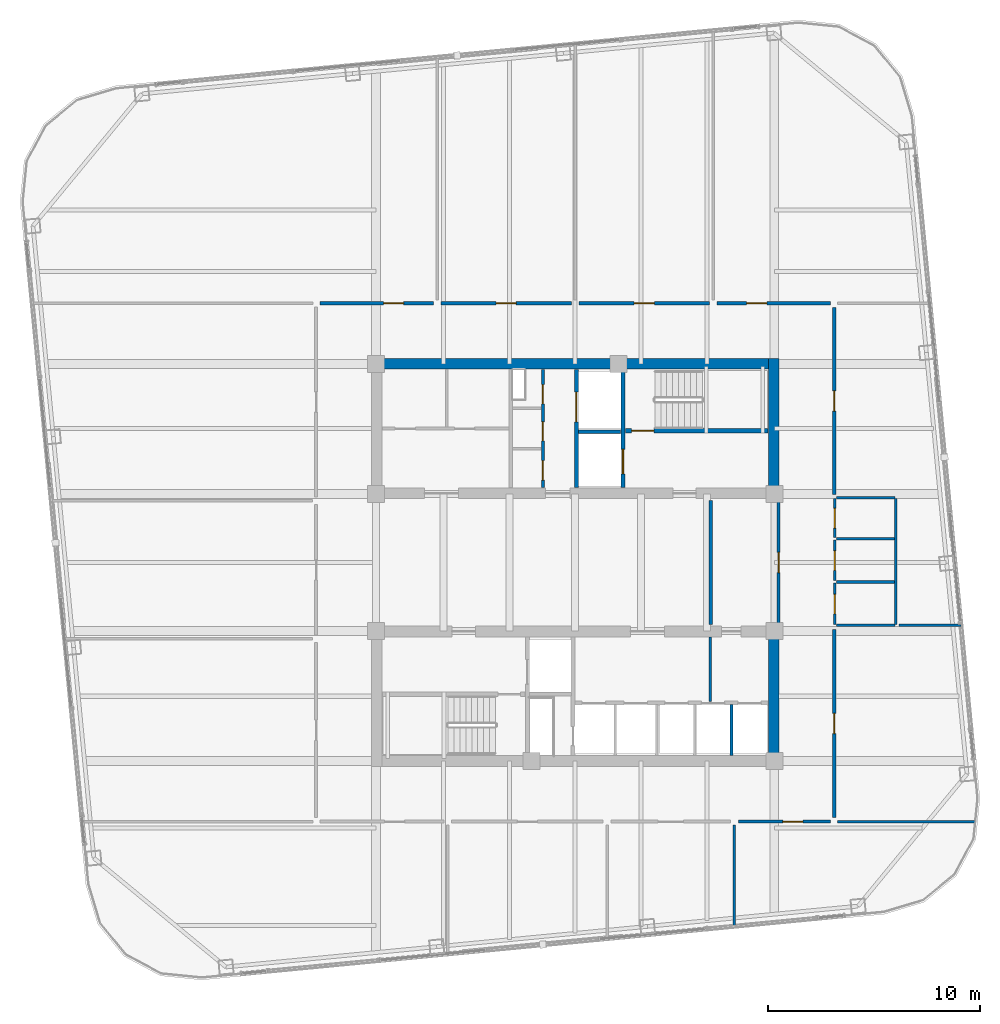
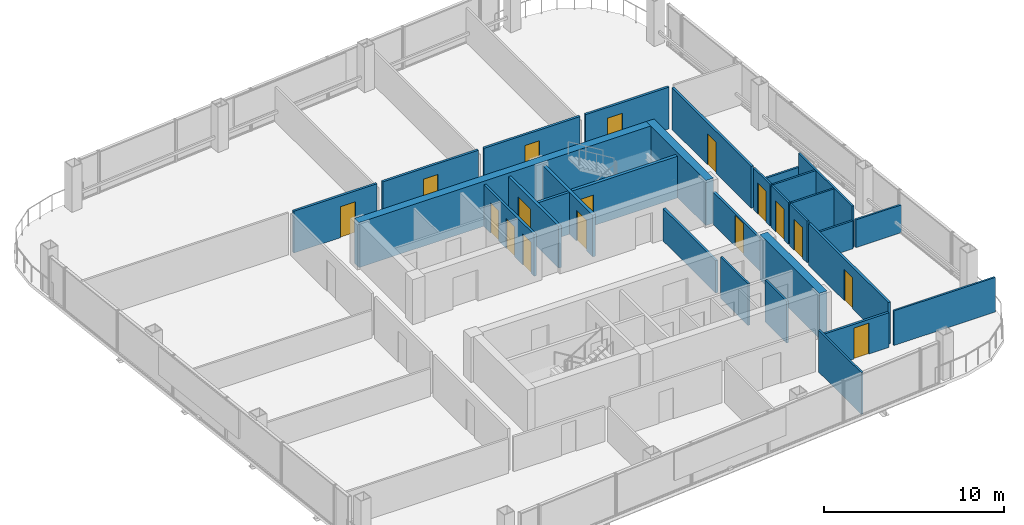
# One storey, part 25 of 29: 30 walls, 17 doors, 17 openings.
"""IFC4 building model written with IfcOpenShell, lengths in metres."""

import ifcopenshell
import ifcopenshell.guid

model = None  # the IFC model being written
_history = None  # IfcOwnerHistory: only IFC2X3 demands one
_inside = {}  # id of a spatial element -> (the spatial element, [elements in it])
_under = {}  # id of a project, library or spatial element -> (it, [spatial elements below it])
_declared = {}  # id of a project -> (the project, [libraries it declares])
_typed = {}  # id of a type object -> (the type object, [elements of that type])
_made_of = {}  # id of a material, layer set ... -> (it, [elements and type objects made of it])


def new_model(schema):
    """Start an empty IFC model of exactly this schema.

    Asked for "IFC4X3", IfcOpenShell would pick the latest addendum, in which some entities
    have other attributes; the version numbers below select the first issue.
    IFC2X3 requires an IfcOwnerHistory on every rooted entity: one is made here for all.
    """
    global model, _history
    if schema == "IFC4X3":
        model = ifcopenshell.file(schema_version=(4, 3, 0, 0))
    else:
        model = ifcopenshell.file(schema=schema)
    _inside.clear()
    _under.clear()
    _declared.clear()
    _typed.clear()
    _made_of.clear()
    _history = None
    if model.schema == "IFC2X3":
        org = make("IfcOrganization", Name="unknown")
        user = make(
            "IfcPersonAndOrganization",
            ThePerson=make("IfcPerson", FamilyName="unknown"),
            TheOrganization=org,
        )
        app = make(
            "IfcApplication",
            ApplicationDeveloper=org,
            Version="unknown",
            ApplicationFullName="unknown",
            ApplicationIdentifier="unknown",
        )
        _history = make(
            "IfcOwnerHistory",
            OwningUser=user,
            OwningApplication=app,
            ChangeAction="ADDED",
            CreationDate=0,
        )
    return model


def make(cls, **values):
    """One entity of the class cls with the attributes given. An attribute that is None is left unset."""
    return model.create_entity(
        cls, **{name: value for name, value in values.items() if value is not None}
    )


def rooted(cls, **values):
    """An entity with a GlobalId (a new one), such as an element, a storey or a relation."""
    return make(cls, GlobalId=ifcopenshell.guid.new(), OwnerHistory=_history, **values)


def si_unit(unit_type, name, prefix=None):
    """IfcSIUnit, for example si_unit("LENGTHUNIT", "METRE", prefix="MILLI")."""
    return make("IfcSIUnit", UnitType=unit_type, Prefix=prefix, Name=name)


def assignment(units):
    """IfcUnitAssignment: the units of a project."""
    return None if units is None else make("IfcUnitAssignment", Units=units)


def point(xyz):
    """IfcCartesianPoint."""
    return None if xyz is None else make("IfcCartesianPoint", Coordinates=xyz)


def direction(xyz):
    """IfcDirection."""
    return None if xyz is None else make("IfcDirection", DirectionRatios=xyz)


def frame(location, z_axis=None, x_axis=None):
    """IfcAxis2Placement3D, a coordinate frame: its origin and axes. An axis left out is left unset."""
    return make(
        "IfcAxis2Placement3D",
        Location=point(location),
        Axis=direction(z_axis),
        RefDirection=direction(x_axis),
    )


def frame_2d(location, x_axis=None):
    """IfcAxis2Placement2D, a coordinate frame in the plane: its origin and x axis."""
    return make(
        "IfcAxis2Placement2D", Location=point(location), RefDirection=direction(x_axis)
    )


def origin():
    """The frame at (0, 0, 0) with its axes left unset."""
    return frame((0.0, 0.0, 0.0))


def place(relative_to, where):
    """IfcLocalPlacement: puts the frame where relative to a parent placement (None: the world)."""
    return make(
        "IfcLocalPlacement", PlacementRelTo=relative_to, RelativePlacement=where
    )


def context(
    kind, dimensions, precision=None, world=None, true_north=None, identifier=None
):
    """IfcGeometricRepresentationContext, for example the 3D "Model" context."""
    return make(
        "IfcGeometricRepresentationContext",
        ContextIdentifier=identifier,
        ContextType=kind,
        CoordinateSpaceDimension=dimensions,
        Precision=precision,
        WorldCoordinateSystem=world,
        TrueNorth=true_north,
    )


def subcontext(parent, identifier, kind, view, scale=None):
    """IfcGeometricRepresentationSubContext, for example "Body" below "Model"."""
    return make(
        "IfcGeometricRepresentationSubContext",
        ContextIdentifier=identifier,
        ContextType=kind,
        ParentContext=parent,
        TargetScale=scale,
        TargetView=view,
    )


def project(units=None, contexts=None):
    """IfcProject with its units and contexts."""
    return rooted(
        "IfcProject",
        Name="project",
        RepresentationContexts=contexts,
        UnitsInContext=assignment(units),
    )


def spatial(cls, under=None, at=None, **own):
    """A site, building, storey or space (cls), placed at a placement, below another one or the project."""
    s = rooted(cls, ObjectPlacement=at, **own)
    if under is not None:
        _under.setdefault(under.id(), (under, []))[1].append(s)
    return s


def profile(cls, at=None, kind="AREA", **sizes):
    """A parametric profile (cls). Its sizes go by their IFC names, for example OverallWidth=200.0."""
    return make(cls, ProfileType=kind, Position=at, **sizes)


def rectangle(**sizes):
    """IfcRectangleProfileDef."""
    return profile("IfcRectangleProfileDef", **sizes)


def extrude(swept, where, along, depth):
    """IfcExtrudedAreaSolid: the profile swept, set in the frame where, extruded along a direction by depth."""
    return make(
        "IfcExtrudedAreaSolid",
        SweptArea=swept,
        Position=where,
        ExtrudedDirection=direction(along),
        Depth=depth,
    )


def shape(context_of_items, identifier, shape_type, items):
    """IfcShapeRepresentation: the items that make up one representation, for example the "Body"."""
    return make(
        "IfcShapeRepresentation",
        ContextOfItems=context_of_items,
        RepresentationIdentifier=identifier,
        RepresentationType=shape_type,
        Items=items,
    )


def material(Name=None, Category=None):
    """IfcMaterial."""
    return make("IfcMaterial", Name=Name, Category=Category)


def layer(
    of_material, thickness, ventilated=None, Name=None, Category=None, Priority=None
):
    """IfcMaterialLayer: one layer of a wall or slab, of a material (None: an air gap)."""
    return make(
        "IfcMaterialLayer",
        Material=of_material,
        LayerThickness=thickness,
        IsVentilated=ventilated,
        Name=Name,
        Category=Category,
        Priority=Priority,
    )


def layer_set(layers, Name=None):
    """IfcMaterialLayerSet."""
    return make("IfcMaterialLayerSet", MaterialLayers=layers, LayerSetName=Name)


def made_of(thing, what):
    """Note that an element or type object is made of a material, layer set ...; save() writes the relation."""
    if what is not None:
        _made_of.setdefault(what.id(), (what, []))[1].append(thing)
    return thing


def type_object(cls, material=None, **own):
    """A type object (cls), such as IfcWallType, which elements share."""
    return made_of(rooted(cls, **own), material)


def element(
    cls,
    number,
    at=None,
    inside=None,
    cuts=None,
    type_object=None,
    material=None,
    context=None,
    identifier="Body",
    shape_type=None,
    held_by="IfcProductDefinitionShape",
    body=None,
    shapes=None,
    **own,
):
    """One element of the class cls, such as IfcWall. Its Tag is "e" and its number.

    at: its placement. inside: the storey or other place that contains it. cuts: it is an
    opening in that element (IfcRelVoidsElement). A single representation is given by context,
    identifier, shape_type and body (its items); several are given by shapes. held_by: the class
    of the entity that holds the representations. save() writes the other relations.
    """
    e = rooted(cls, Tag="e%d" % number, ObjectPlacement=at, **own)
    if body is not None:
        shapes = [shape(context, identifier, shape_type, body)]
    if shapes is not None:
        e.Representation = make(held_by, Representations=shapes)
    if inside is not None:
        _inside.setdefault(inside.id(), (inside, []))[1].append(e)
    if cuts is not None:
        rooted(
            "IfcRelVoidsElement", RelatingBuildingElement=cuts, RelatedOpeningElement=e
        )
    if type_object is not None:
        _typed.setdefault(type_object.id(), (type_object, []))[1].append(e)
    return made_of(e, material)


def fill(opening, filler):
    """IfcRelFillsElement: the door or window that sits in an opening."""
    return rooted(
        "IfcRelFillsElement",
        RelatingOpeningElement=opening,
        RelatedBuildingElement=filler,
    )


def aggregate(whole, parts):
    """IfcRelAggregates: a whole, such as a stair, and the parts it consists of."""
    return rooted("IfcRelAggregates", RelatingObject=whole, RelatedObjects=parts)


def save(model, path):
    """Write the relations noted so far, then the file.

    IfcRelAggregates (storeys below a building ...), IfcRelContainedInSpatialStructure (elements
    in a storey), IfcRelDefinesByType, IfcRelAssociatesMaterial and IfcRelDeclares: one each for
    every whole, place, type object, material and project.
    """
    for whole, parts in _under.values():
        aggregate(whole, parts)
    for where, things in _inside.values():
        rooted(
            "IfcRelContainedInSpatialStructure",
            RelatedElements=things,
            RelatingStructure=where,
        )
    for kind, things in _typed.values():
        rooted("IfcRelDefinesByType", RelatedObjects=things, RelatingType=kind)
    for what, things in _made_of.values():
        rooted("IfcRelAssociatesMaterial", RelatedObjects=things, RelatingMaterial=what)
    for by, libraries in _declared.values():
        rooted("IfcRelDeclares", RelatingContext=by, RelatedDefinitions=libraries)
    model.write(path)


model = new_model("IFC4")

# Units and contexts
model_context = context("Model", 3, precision=1e-05, world=origin(), true_north=direction((0.0, 1.0)))
body_context = subcontext(model_context, "Body", "Model", "MODEL_VIEW")
ifc_project = project(units=[si_unit("LENGTHUNIT", "METRE"), si_unit("AREAUNIT", "SQUARE_METRE"), si_unit("VOLUMEUNIT", "CUBIC_METRE"), si_unit("PLANEANGLEUNIT", "RADIAN"), si_unit("MASSUNIT", "GRAM", prefix="KILO")], contexts=[model_context])

# Site, building, storey
site_placement = place(None, origin())
site = spatial("IfcSite", under=ifc_project, at=site_placement, CompositionType="ELEMENT")
building_placement = place(site_placement, origin())
building = spatial("IfcBuilding", under=site, at=building_placement, Name="Qhalaya Broadcast Tower", CompositionType="ELEMENT")
storey_placement = place(building_placement, frame((0.0, 0.0, 177.5)))
storey = spatial("IfcBuildingStorey", under=building, at=storey_placement, Name="L52", CompositionType="ELEMENT", Elevation=177.5)

# Wall, openings, doors
ifc_material_1 = material(Name="Gypsum Acoustic Partition")
ifc_layer_1 = layer(ifc_material_1, 0.14990234375, Name="Gypsum Acoustic Partition")
ifc_layer_set_1 = layer_set([ifc_layer_1], Name="Gypsum Acoustic Partition")
wall_type_1 = type_object("IfcWallType", Name="Corridor & Tenancy Acoustic Partition 150", PredefinedType="PARTITIONING", material=ifc_layer_set_1)
wall_1_placement = place(storey_placement, frame((-1.52001953125, 4.1201171875, 0.0), z_axis=(0.0, 0.0, 1.0), x_axis=(0.0, 1.0, 0.0)))
wall_1 = element("IfcWall", 1, at=wall_1_placement, inside=storey, type_object=wall_type_1, Name="L52 Partition Wall NCW-SVL", PredefinedType="PARTITIONING", context=body_context, shape_type="SweptSolid", body=[
    extrude(rectangle(XDim=5.559814453125, YDim=0.14990234375, at=frame_2d((2.77978515625, 0.0))), origin(), (0.0, 0.0, 1.0), 2.830078125),
])
opening_1_placement = place(wall_1_placement, frame((3.949951171875, 0.0, 0.0)))
opening_1 = element("IfcOpeningElement", 2, at=opening_1_placement, cuts=wall_1, Name="Opening D06", PredefinedType="OPENING", context=body_context, shape_type="SweptSolid", body=[
    extrude(rectangle(XDim=0.89990234375, YDim=2.050048828125, at=frame_2d((0.449951171875, 1.02490234375))), frame((0.0, 0.0869140625, 0.0), z_axis=(0.0, -1.0, 0.0), x_axis=(1.0, 0.0, 0.0)), (0.0, 0.0, 1.0), 0.173828125),
])
opening_2_placement = place(wall_1_placement, frame((2.199951171875, 0.0, 0.0)))
opening_2 = element("IfcOpeningElement", 3, at=opening_2_placement, cuts=wall_1, Name="Opening D06", PredefinedType="OPENING", context=body_context, shape_type="SweptSolid", body=[
    extrude(rectangle(XDim=0.89990234375, YDim=2.050048828125, at=frame_2d((0.449951171875, 1.02490234375))), frame((0.0, 0.0869140625, 0.0), z_axis=(0.0, -1.0, 0.0), x_axis=(1.0, 0.0, 0.0)), (0.0, 0.0, 1.0), 0.173828125),
])
opening_3_placement = place(wall_1_placement, frame((0.35009765625, 0.0, 0.0)))
opening_3 = element("IfcOpeningElement", 4, at=opening_3_placement, cuts=wall_1, Name="Opening D12", PredefinedType="OPENING", context=body_context, shape_type="SweptSolid", body=[
    extrude(rectangle(XDim=0.919921875, YDim=2.10009765625, at=frame_2d((0.4599609375, 1.050048828125))), frame((0.0, 0.0869140625, 0.0), z_axis=(0.0, -1.0, 0.0), x_axis=(1.0, 0.0, 0.0)), (0.0, 0.0, 1.0), 0.173828125),
])
ifc_material_2 = material(Name="Timber Veneer Acoustic Door", Category="wood")
door_type_1 = type_object("IfcDoorType", Name="Accessible WC & Restroom Door D12", OperationType="NOTDEFINED", PredefinedType="DOOR", material=ifc_material_2)
door_1_placement = place(opening_3_placement, origin())
door_1 = element("IfcDoor", 5, at=door_1_placement, inside=storey, type_object=door_type_1, Name="L52 Door D-NCWC", OperationType="SINGLE_SWING_RIGHT", OverallHeight=2.10009765625, OverallWidth=0.919921875, PredefinedType="DOOR", context=body_context, shape_type="SweptSolid", body=[
    extrude(rectangle(XDim=0.919921875, YDim=2.10009765625, at=frame_2d((0.4599609375, 1.050048828125))), frame((0.0, 0.02490234375, 0.0), z_axis=(0.0, -1.0, 0.0), x_axis=(1.0, 0.0, 0.0)), (0.0, 0.0, 1.0), 0.050048828125),
])
fill(opening_3, door_1)
ifc_material_3 = material(Name="Fire-Rated Steel Door", Category="steel")
door_type_2 = type_object("IfcDoorType", Name="Riser & Electrical Shaft Access Door D06", OperationType="NOTDEFINED", PredefinedType="DOOR", material=ifc_material_3)
door_2_placement = place(opening_1_placement, origin())
door_2 = element("IfcDoor", 6, at=door_2_placement, inside=storey, type_object=door_type_2, Name="L52 Riser Shaft Access Door D-NRSR", OperationType="SINGLE_SWING_RIGHT", OverallHeight=2.050048828125, OverallWidth=0.89990234375, PredefinedType="DOOR", context=body_context, shape_type="SweptSolid", body=[
    extrude(rectangle(XDim=0.89990234375, YDim=2.050048828125, at=frame_2d((0.449951171875, 1.02490234375))), frame((0.0, 0.02490234375, 0.0), z_axis=(0.0, -1.0, 0.0), x_axis=(1.0, 0.0, 0.0)), (0.0, 0.0, 1.0), 0.050048828125),
])
fill(opening_1, door_2)
door_3_placement = place(opening_2_placement, origin())
door_3 = element("IfcDoor", 7, at=door_3_placement, inside=storey, type_object=door_type_2, Name="L52 Door D-NITR", OperationType="SINGLE_SWING_LEFT", OverallHeight=2.050048828125, OverallWidth=0.89990234375, PredefinedType="DOOR", context=body_context, shape_type="SweptSolid", body=[
    extrude(rectangle(XDim=0.89990234375, YDim=2.050048828125, at=frame_2d((0.449951171875, 1.02490234375))), frame((0.0, 0.02490234375, 0.0), z_axis=(0.0, -1.0, 0.0), x_axis=(1.0, 0.0, 0.0)), (0.0, 0.0, 1.0), 0.050048828125),
])
fill(opening_2, door_3)

# Wall
wall_2_placement = place(storey_placement, frame((6.3798828125, -2.320068359375, 0.0), z_axis=(0.0, 0.0, 1.0), x_axis=(0.0, 1.0, 0.0)))
element("IfcWall", 8, at=wall_2_placement, inside=storey, type_object=wall_type_1, Name="L52 Partition Wall W-ICHW", PredefinedType="PARTITIONING", context=body_context, shape_type="SweptSolid", body=[
    extrude(rectangle(XDim=5.840087890625, YDim=0.14990234375, at=frame_2d((2.919921875, 0.0))), origin(), (0.0, 0.0, 1.0), 2.197998046875),
])

# Wall, opening, door
wall_3_placement = place(storey_placement, frame((9.580078125, -2.320068359375, 0.0), z_axis=(0.0, 0.0, 1.0), x_axis=(0.0, 1.0, 0.0)))
wall_3 = element("IfcWall", 9, at=wall_3_placement, inside=storey, type_object=wall_type_1, Name="L52 Partition Wall W-ICHE", PredefinedType="PARTITIONING", context=body_context, shape_type="SweptSolid", body=[
    extrude(rectangle(XDim=5.840087890625, YDim=0.14990234375, at=frame_2d((2.919921875, 0.0))), origin(), (0.0, 0.0, 1.0), 2.197998046875),
])
opening_4_placement = place(wall_3_placement, frame((2.445068359375, 0.0, 0.0)))
opening_4 = element("IfcOpeningElement", 10, at=opening_4_placement, cuts=wall_3, Name="Opening D10", PredefinedType="OPENING", context=body_context, shape_type="SweptSolid", body=[
    extrude(rectangle(XDim=0.949951171875, YDim=2.10009765625, at=frame_2d((0.47509765625, 1.050048828125))), frame((0.0, 0.0869140625, 0.0), z_axis=(0.0, -1.0, 0.0), x_axis=(1.0, 0.0, 0.0)), (0.0, 0.0, 1.0), 0.173828125),
])
door_type_3 = type_object("IfcDoorType", Name="Cellular Office & Edit Booth Door D10", OperationType="NOTDEFINED", PredefinedType="DOOR", material=ifc_material_2)
door_4_placement = place(opening_4_placement, origin())
door_4 = element("IfcDoor", 11, at=door_4_placement, inside=storey, type_object=door_type_3, Name="L52 Door D-ICHE", OperationType="SINGLE_SWING_RIGHT", OverallHeight=2.10009765625, OverallWidth=0.949951171875, PredefinedType="DOOR", context=body_context, shape_type="SweptSolid", body=[
    extrude(rectangle(XDim=0.949951171875, YDim=2.10009765625, at=frame_2d((0.47509765625, 1.050048828125))), frame((0.0, 0.02490234375, 0.0), z_axis=(0.0, -1.0, 0.0), x_axis=(1.0, 0.0, 0.0)), (0.0, 0.0, 1.0), 0.050048828125),
])
fill(opening_4, door_4)

wall_4_placement = place(storey_placement, frame((-12.02001953125, 12.800048828125, 0.0), z_axis=(0.0, 0.0, 1.0), x_axis=(1.0, 0.0, 0.0)))
wall_4 = element("IfcWall", 12, at=wall_4_placement, inside=storey, type_object=wall_type_1, Name="L52 Partition Wall W-COR-01", PredefinedType="PARTITIONING", context=body_context, shape_type="SweptSolid", body=[
    extrude(rectangle(XDim=5.340087890625, YDim=0.14990234375, at=frame_2d((2.669921875, 0.0))), origin(), (0.0, 0.0, 1.0), 2.830078125),
])
opening_5_placement = place(wall_4_placement, frame((2.9951171875, 0.0, 0.0)))
opening_5 = element("IfcOpeningElement", 13, at=opening_5_placement, cuts=wall_4, Name="Opening D10", PredefinedType="OPENING", context=body_context, shape_type="SweptSolid", body=[
    extrude(rectangle(XDim=0.949951171875, YDim=2.10009765625, at=frame_2d((0.47509765625, 1.050048828125))), frame((0.0, 0.0869140625, 0.0), z_axis=(0.0, -1.0, 0.0), x_axis=(1.0, 0.0, 0.0)), (0.0, 0.0, 1.0), 0.173828125),
])
door_5_placement = place(opening_5_placement, origin())
door_5 = element("IfcDoor", 14, at=door_5_placement, inside=storey, type_object=door_type_3, Name="L52 Door D-RM01", OperationType="SINGLE_SWING_RIGHT", OverallHeight=2.10009765625, OverallWidth=0.949951171875, PredefinedType="DOOR", context=body_context, shape_type="SweptSolid", body=[
    extrude(rectangle(XDim=0.949951171875, YDim=2.10009765625, at=frame_2d((0.47509765625, 1.050048828125))), frame((0.0, 0.02490234375, 0.0), z_axis=(0.0, -1.0, 0.0), x_axis=(1.0, 0.0, 0.0)), (0.0, 0.0, 1.0), 0.050048828125),
])
fill(opening_5, door_5)

wall_5_placement = place(storey_placement, frame((-6.320068359375, 12.800048828125, 0.0), z_axis=(0.0, 0.0, 1.0), x_axis=(1.0, 0.0, 0.0)))
wall_5 = element("IfcWall", 15, at=wall_5_placement, inside=storey, type_object=wall_type_1, Name="L52 Partition Wall W-COR-02", PredefinedType="PARTITIONING", context=body_context, shape_type="SweptSolid", body=[
    extrude(rectangle(XDim=6.14013671875, YDim=0.14990234375, at=frame_2d((3.070068359375, 0.0))), origin(), (0.0, 0.0, 1.0), 2.830078125),
])
opening_6_placement = place(wall_5_placement, frame((2.594970703125, 0.0, 0.0)))
opening_6 = element("IfcOpeningElement", 16, at=opening_6_placement, cuts=wall_5, Name="Opening D10", PredefinedType="OPENING", context=body_context, shape_type="SweptSolid", body=[
    extrude(rectangle(XDim=0.949951171875, YDim=2.10009765625, at=frame_2d((0.47509765625, 1.050048828125))), frame((0.0, 0.0869140625, 0.0), z_axis=(0.0, -1.0, 0.0), x_axis=(1.0, 0.0, 0.0)), (0.0, 0.0, 1.0), 0.173828125),
])
door_6_placement = place(opening_6_placement, origin())
door_6 = element("IfcDoor", 17, at=door_6_placement, inside=storey, type_object=door_type_3, Name="L52 Door D-RM02", OperationType="SINGLE_SWING_LEFT", OverallHeight=2.10009765625, OverallWidth=0.949951171875, PredefinedType="DOOR", context=body_context, shape_type="SweptSolid", body=[
    extrude(rectangle(XDim=0.949951171875, YDim=2.10009765625, at=frame_2d((0.47509765625, 1.050048828125))), frame((0.0, 0.02490234375, 0.0), z_axis=(0.0, -1.0, 0.0), x_axis=(1.0, 0.0, 0.0)), (0.0, 0.0, 1.0), 0.050048828125),
])
fill(opening_6, door_6)

wall_6_placement = place(storey_placement, frame((0.179931640625, 12.800048828125, 0.0), z_axis=(0.0, 0.0, 1.0), x_axis=(1.0, 0.0, 0.0)))
wall_6 = element("IfcWall", 18, at=wall_6_placement, inside=storey, type_object=wall_type_1, Name="L52 Partition Wall W-COR-03", PredefinedType="PARTITIONING", context=body_context, shape_type="SweptSolid", body=[
    extrude(rectangle(XDim=6.14013671875, YDim=0.14990234375, at=frame_2d((3.070068359375, 0.0))), origin(), (0.0, 0.0, 1.0), 2.830078125),
])
opening_7_placement = place(wall_6_placement, frame((2.594970703125, 0.0, 0.0)))
opening_7 = element("IfcOpeningElement", 19, at=opening_7_placement, cuts=wall_6, Name="Opening D10", PredefinedType="OPENING", context=body_context, shape_type="SweptSolid", body=[
    extrude(rectangle(XDim=0.949951171875, YDim=2.10009765625, at=frame_2d((0.47509765625, 1.050048828125))), frame((0.0, 0.0869140625, 0.0), z_axis=(0.0, -1.0, 0.0), x_axis=(1.0, 0.0, 0.0)), (0.0, 0.0, 1.0), 0.173828125),
])
door_7_placement = place(opening_7_placement, origin())
door_7 = element("IfcDoor", 20, at=door_7_placement, inside=storey, type_object=door_type_3, Name="L52 Door D-RM03", OperationType="SINGLE_SWING_RIGHT", OverallHeight=2.10009765625, OverallWidth=0.949951171875, PredefinedType="DOOR", context=body_context, shape_type="SweptSolid", body=[
    extrude(rectangle(XDim=0.949951171875, YDim=2.10009765625, at=frame_2d((0.47509765625, 1.050048828125))), frame((0.0, 0.02490234375, 0.0), z_axis=(0.0, -1.0, 0.0), x_axis=(1.0, 0.0, 0.0)), (0.0, 0.0, 1.0), 0.050048828125),
])
fill(opening_7, door_7)

wall_7_placement = place(storey_placement, frame((6.679931640625, 12.800048828125, 0.0), z_axis=(0.0, 0.0, 1.0), x_axis=(1.0, 0.0, 0.0)))
wall_7 = element("IfcWall", 21, at=wall_7_placement, inside=storey, type_object=wall_type_1, Name="L52 Partition Wall W-COR-04", PredefinedType="PARTITIONING", context=body_context, shape_type="SweptSolid", body=[
    extrude(rectangle(XDim=5.340087890625, YDim=0.14990234375, at=frame_2d((2.669921875, 0.0))), origin(), (0.0, 0.0, 1.0), 2.830078125),
])
opening_8_placement = place(wall_7_placement, frame((1.39501953125, 0.0, 0.0)))
opening_8 = element("IfcOpeningElement", 22, at=opening_8_placement, cuts=wall_7, Name="Opening D10", PredefinedType="OPENING", context=body_context, shape_type="SweptSolid", body=[
    extrude(rectangle(XDim=0.949951171875, YDim=2.10009765625, at=frame_2d((0.47509765625, 1.050048828125))), frame((0.0, 0.0869140625, 0.0), z_axis=(0.0, -1.0, 0.0), x_axis=(1.0, 0.0, 0.0)), (0.0, 0.0, 1.0), 0.173828125),
])
door_8_placement = place(opening_8_placement, origin())
door_8 = element("IfcDoor", 23, at=door_8_placement, inside=storey, type_object=door_type_3, Name="L52 Door D-RM04", OperationType="SINGLE_SWING_LEFT", OverallHeight=2.10009765625, OverallWidth=0.949951171875, PredefinedType="DOOR", context=body_context, shape_type="SweptSolid", body=[
    extrude(rectangle(XDim=0.949951171875, YDim=2.10009765625, at=frame_2d((0.47509765625, 1.050048828125))), frame((0.0, 0.02490234375, 0.0), z_axis=(0.0, -1.0, 0.0), x_axis=(1.0, 0.0, 0.0)), (0.0, 0.0, 1.0), 0.050048828125),
])
fill(opening_8, door_8)

wall_8_placement = place(storey_placement, frame((7.679931640625, -11.60009765625, 0.0), z_axis=(0.0, 0.0, 1.0), x_axis=(1.0, 0.0, 0.0)))
wall_8 = element("IfcWall", 24, at=wall_8_placement, inside=storey, type_object=wall_type_1, Name="L52 Partition Wall W-COR-08", PredefinedType="PARTITIONING", context=body_context, shape_type="SweptSolid", body=[
    extrude(rectangle(XDim=4.340087890625, YDim=0.14990234375, at=frame_2d((2.169921875, 0.0))), origin(), (0.0, 0.0, 1.0), 2.346923828125),
])
opening_9_placement = place(wall_8_placement, frame((2.094970703125, 0.0, 0.0)))
opening_9 = element("IfcOpeningElement", 25, at=opening_9_placement, cuts=wall_8, Name="Opening D10", PredefinedType="OPENING", context=body_context, shape_type="SweptSolid", body=[
    extrude(rectangle(XDim=0.949951171875, YDim=2.10009765625, at=frame_2d((0.47509765625, 1.050048828125))), frame((0.0, 0.0869140625, 0.0), z_axis=(0.0, -1.0, 0.0), x_axis=(1.0, 0.0, 0.0)), (0.0, 0.0, 1.0), 0.173828125),
])
door_9_placement = place(opening_9_placement, origin())
door_9 = element("IfcDoor", 26, at=door_9_placement, inside=storey, type_object=door_type_3, Name="L52 Door D-RM08", OperationType="SINGLE_SWING_LEFT", OverallHeight=2.10009765625, OverallWidth=0.949951171875, PredefinedType="DOOR", context=body_context, shape_type="SweptSolid", body=[
    extrude(rectangle(XDim=0.949951171875, YDim=2.10009765625, at=frame_2d((0.47509765625, 1.050048828125))), frame((0.0, 0.02490234375, 0.0), z_axis=(0.0, -1.0, 0.0), x_axis=(1.0, 0.0, 0.0)), (0.0, 0.0, 1.0), 0.050048828125),
])
fill(opening_9, door_9)

wall_9_placement = place(storey_placement, frame((12.199951171875, -11.39990234375, 0.0), z_axis=(0.0, 0.0, 1.0), x_axis=(0.0, 1.0, 0.0)))
wall_9 = element("IfcWall", 27, at=wall_9_placement, inside=storey, type_object=wall_type_1, Name="L52 Partition Wall W-COR-12", PredefinedType="PARTITIONING", context=body_context, shape_type="SweptSolid", body=[
    extrude(rectangle(XDim=8.83984375, YDim=0.14990234375, at=frame_2d((4.419921875, 0.0))), origin(), (0.0, 0.0, 1.0), 2.830078125),
])
opening_10_placement = place(wall_9_placement, frame((3.945068359375, 0.0, 0.0)))
opening_10 = element("IfcOpeningElement", 28, at=opening_10_placement, cuts=wall_9, Name="Opening D10", PredefinedType="OPENING", context=body_context, shape_type="SweptSolid", body=[
    extrude(rectangle(XDim=0.949951171875, YDim=2.10009765625, at=frame_2d((0.47509765625, 1.050048828125))), frame((0.0, 0.0869140625, 0.0), z_axis=(0.0, -1.0, 0.0), x_axis=(1.0, 0.0, 0.0)), (0.0, 0.0, 1.0), 0.173828125),
])
door_10_placement = place(opening_10_placement, origin())
door_10 = element("IfcDoor", 29, at=door_10_placement, inside=storey, type_object=door_type_3, Name="L52 Door D-RM12", OperationType="SINGLE_SWING_LEFT", OverallHeight=2.10009765625, OverallWidth=0.949951171875, PredefinedType="DOOR", context=body_context, shape_type="SweptSolid", body=[
    extrude(rectangle(XDim=0.949951171875, YDim=2.10009765625, at=frame_2d((0.47509765625, 1.050048828125))), frame((0.0, 0.02490234375, 0.0), z_axis=(0.0, -1.0, 0.0), x_axis=(1.0, 0.0, 0.0)), (0.0, 0.0, 1.0), 0.050048828125),
])
fill(opening_10, door_10)

wall_10_placement = place(storey_placement, frame((12.199951171875, 3.800048828125, 0.0), z_axis=(0.0, 0.0, 1.0), x_axis=(0.0, 1.0, 0.0)))
wall_10 = element("IfcWall", 30, at=wall_10_placement, inside=storey, type_object=wall_type_1, Name="L52 Partition Wall W-COR-13", PredefinedType="PARTITIONING", context=body_context, shape_type="SweptSolid", body=[
    extrude(rectangle(XDim=8.800048828125, YDim=0.14990234375, at=frame_2d((4.39990234375, 0.0))), origin(), (0.0, 0.0, 1.0), 2.830078125),
])
opening_11_placement = place(wall_10_placement, frame((3.925048828125, 0.0, 0.0)))
opening_11 = element("IfcOpeningElement", 31, at=opening_11_placement, cuts=wall_10, Name="Opening D10", PredefinedType="OPENING", context=body_context, shape_type="SweptSolid", body=[
    extrude(rectangle(XDim=0.949951171875, YDim=2.10009765625, at=frame_2d((0.47509765625, 1.050048828125))), frame((0.0, 0.0869140625, 0.0), z_axis=(0.0, -1.0, 0.0), x_axis=(1.0, 0.0, 0.0)), (0.0, 0.0, 1.0), 0.173828125),
])
door_11_placement = place(opening_11_placement, origin())
door_11 = element("IfcDoor", 32, at=door_11_placement, inside=storey, type_object=door_type_3, Name="L52 Door D-RM13", OperationType="SINGLE_SWING_RIGHT", OverallHeight=2.10009765625, OverallWidth=0.949951171875, PredefinedType="DOOR", context=body_context, shape_type="SweptSolid", body=[
    extrude(rectangle(XDim=0.949951171875, YDim=2.10009765625, at=frame_2d((0.47509765625, 1.050048828125))), frame((0.0, 0.02490234375, 0.0), z_axis=(0.0, -1.0, 0.0), x_axis=(1.0, 0.0, 0.0)), (0.0, 0.0, 1.0), 0.050048828125),
])
fill(opening_11, door_11)

ifc_material_4 = material(Name="Concrete C50/60", Category="concrete")
ifc_layer_2 = layer(ifc_material_4, 0.199951171875, Name="Concrete C50/60")
ifc_layer_set_2 = layer_set([ifc_layer_2], Name="Concrete C50/60")
wall_type_2 = type_object("IfcWallType", Name="Load-Bearing Stair Shaft Wall 200", PredefinedType="SHEAR", material=ifc_layer_set_2)
wall_11_placement = place(storey_placement, frame((2.360107421875, 6.804931640625, 0.0), z_axis=(0.0, 0.0, 1.0), x_axis=(1.0, 0.0, 0.0)))
wall_11 = element("IfcWall", 33, at=wall_11_placement, inside=storey, type_object=wall_type_2, Name="L52 Stair Core Shear Wall NCW-ST1", PredefinedType="SHEAR", context=body_context, shape_type="SweptSolid", body=[
    extrude(rectangle(XDim=6.719970703125, YDim=0.199951171875, at=frame_2d((3.35986328125, 0.0))), origin(), (0.0, 0.0, 1.0), 2.830078125),
])
opening_12_placement = place(wall_11_placement, frame((0.300048828125, 0.0, 0.0)))
opening_12 = element("IfcOpeningElement", 34, at=opening_12_placement, cuts=wall_11, Name="Opening D03", PredefinedType="OPENING", context=body_context, shape_type="SweptSolid", body=[
    extrude(rectangle(XDim=1.050048828125, YDim=2.080078125, at=frame_2d((0.52490234375, 1.0400390625))), frame((0.0, 0.112060546875, 0.0), z_axis=(0.0, -1.0, 0.0), x_axis=(1.0, 0.0, 0.0)), (0.0, 0.0, 1.0), 0.223876953125),
])
door_type_4 = type_object("IfcDoorType", Name="Core Stair Protected Fire Door D03", OperationType="NOTDEFINED", PredefinedType="DOOR", material=ifc_material_3)
door_12_placement = place(opening_12_placement, origin())
door_12 = element("IfcDoor", 35, at=door_12_placement, inside=storey, type_object=door_type_4, Name="L52 Door D-NST1", OperationType="SINGLE_SWING_LEFT", OverallHeight=2.080078125, OverallWidth=1.050048828125, PredefinedType="DOOR", context=body_context, shape_type="SweptSolid", body=[
    extrude(rectangle(XDim=1.050048828125, YDim=2.080078125, at=frame_2d((0.52490234375, 1.0400390625))), frame((0.0, 0.02490234375, 0.0), z_axis=(0.0, -1.0, 0.0), x_axis=(1.0, 0.0, 0.0)), (0.0, 0.0, 1.0), 0.050048828125),
])
fill(opening_12, door_12)

wall_12_placement = place(storey_placement, frame((2.25, 4.1201171875, 0.0), z_axis=(0.0, 0.0, 1.0), x_axis=(0.0, 1.0, 0.0)))
wall_12 = element("IfcWall", 36, at=wall_12_placement, inside=storey, type_object=wall_type_2, Name="L52 Stair Core Shear Wall NCW-FF", PredefinedType="SHEAR", context=body_context, shape_type="SweptSolid", body=[
    extrude(rectangle(XDim=5.559814453125, YDim=0.199951171875, at=frame_2d((2.77978515625, 0.0))), origin(), (0.0, 0.0, 1.0), 2.830078125),
])
opening_13_placement = place(wall_12_placement, frame((0.64990234375, 0.0, 0.0)))
opening_13 = element("IfcOpeningElement", 37, at=opening_13_placement, cuts=wall_12, Name="Opening LD2", PredefinedType="OPENING", context=body_context, shape_type="SweptSolid", body=[
    extrude(rectangle(XDim=1.14990234375, YDim=2.080078125, at=frame_2d((0.574951171875, 1.0400390625))), frame((0.0, 0.112060546875, 0.0), z_axis=(0.0, -1.0, 0.0), x_axis=(1.0, 0.0, 0.0)), (0.0, 0.0, 1.0), 0.223876953125),
])
ifc_material_5 = material(Name="Brushed Stainless Steel Lift Door", Category="steel")
door_type_5 = type_object("IfcDoorType", Name="Firefighting Lift Sliding Landing Door LD2", OperationType="DOUBLE_DOOR_SLIDING", PredefinedType="DOOR", material=ifc_material_5)
door_13_placement = place(opening_13_placement, origin())
door_13 = element("IfcDoor", 38, at=door_13_placement, inside=storey, type_object=door_type_5, Name="L52 Door LD-FF1", OperationType="DOUBLE_DOOR_SLIDING", OverallHeight=2.080078125, OverallWidth=1.14990234375, PredefinedType="DOOR", context=body_context, shape_type="SweptSolid", body=[
    extrude(rectangle(XDim=1.14990234375, YDim=2.080078125, at=frame_2d((0.574951171875, 1.0400390625))), frame((0.0, 0.02490234375, 0.0), z_axis=(0.0, -1.0, 0.0), x_axis=(1.0, 0.0, 0.0)), (0.0, 0.0, 1.0), 0.050048828125),
])
fill(opening_13, door_13)

# Walls
ifc_layer_3 = layer(ifc_material_4, 0.5, Name="Concrete C50/60")
ifc_layer_set_3 = layer_set([ifc_layer_3], Name="Concrete C50/60")
wall_type_3 = type_object("IfcWallType", Name="Mid Split-Core Shear Wall 500", PredefinedType="SHEAR", material=ifc_layer_set_3)
wall_13_placement = place(storey_placement, frame((-9.60009765625, 9.949951171875, 0.0), z_axis=(0.0, 0.0, 1.0), x_axis=(1.0, 0.0, 0.0)))
element("IfcWall", 39, at=wall_13_placement, inside=storey, type_object=wall_type_3, Name="L52 Split-Core Shear Wall CW-NN", PredefinedType="SHEAR", context=body_context, shape_type="SweptSolid", body=[
    extrude(rectangle(XDim=19.2001953125, YDim=0.5, at=frame_2d((9.60009765625, 0.0))), origin(), (0.0, 0.0, 1.0), 3.050048828125),
])
wall_14_placement = place(storey_placement, frame((9.35009765625, 3.60009765625, 0.0), z_axis=(0.0, 0.0, 1.0), x_axis=(0.0, 1.0, 0.0)))
element("IfcWall", 40, at=wall_14_placement, inside=storey, type_object=wall_type_3, Name="L52 Split-Core Shear Wall CW-NE", PredefinedType="SHEAR", context=body_context, shape_type="SweptSolid", body=[
    extrude(rectangle(XDim=6.599853515625, YDim=0.5, at=frame_2d((3.2998046875, 0.0))), origin(), (0.0, 0.0, 1.0), 3.050048828125),
])
wall_15_placement = place(storey_placement, frame((9.35009765625, -9.0, 0.0), z_axis=(0.0, 0.0, 1.0), x_axis=(0.0, 1.0, 0.0)))
element("IfcWall", 41, at=wall_15_placement, inside=storey, type_object=wall_type_3, Name="L52 Split-Core Shear Wall CW-SE", PredefinedType="SHEAR", context=body_context, shape_type="SweptSolid", body=[
    extrude(rectangle(XDim=6.60009765625, YDim=0.5, at=frame_2d((3.300048828125, 0.0))), origin(), (0.0, 0.0, 1.0), 3.050048828125),
])
ifc_layer_4 = layer(ifc_material_1, 0.1201171875, Name="Gypsum Acoustic Partition")
ifc_layer_set_4 = layer_set([ifc_layer_4], Name="Gypsum Acoustic Partition")
wall_type_4 = type_object("IfcWallType", Name="Office, Booth & Sanitary Partition 120", PredefinedType="PARTITIONING", material=ifc_layer_set_4)
wall_16_placement = place(storey_placement, frame((7.360107421875, -8.47998046875, 0.0), z_axis=(0.0, 0.0, 1.0), x_axis=(0.0, 1.0, 0.0)))
element("IfcWall", 42, at=wall_16_placement, inside=storey, type_object=wall_type_4, Name="L52 Partition Wall SCW-HD7", PredefinedType="PARTITIONING", context=body_context, shape_type="SweptSolid", body=[
    extrude(rectangle(XDim=2.3798828125, YDim=0.1201171875, at=frame_2d((1.18994140625, 0.0))), origin(), (0.0, 0.0, 1.0), 2.830078125),
])
wall_17_placement = place(storey_placement, frame((6.35009765625, -5.93994140625, 0.0), z_axis=(0.0, 0.0, 1.0), x_axis=(0.0, 1.0, 0.0)))
element("IfcWall", 43, at=wall_17_placement, inside=storey, type_object=wall_type_4, Name="L52 Partition Wall SCW-LKB", PredefinedType="PARTITIONING", context=body_context, shape_type="SweptSolid", body=[
    extrude(rectangle(XDim=3.02001953125, YDim=0.1201171875, at=frame_2d((1.510009765625, 0.0))), origin(), (0.0, 0.0, 1.0), 2.830078125),
])

# Wall, opening, door
wall_18_placement = place(storey_placement, frame((12.219970703125, -2.320068359375, 0.0), z_axis=(0.0, 0.0, 1.0), x_axis=(0.0, 1.0, 0.0)))
wall_18 = element("IfcWall", 44, at=wall_18_placement, inside=storey, type_object=wall_type_4, Name="L52 Partition Wall W-WCWA", PredefinedType="PARTITIONING", context=body_context, shape_type="SweptSolid", body=[
    extrude(rectangle(XDim=1.940185546875, YDim=0.1201171875, at=frame_2d((0.97021484375, 0.0))), origin(), (0.0, 0.0, 1.0), 2.830078125),
])
opening_14_placement = place(wall_18_placement, frame((0.4951171875, 0.0, 0.0)))
opening_14 = element("IfcOpeningElement", 45, at=opening_14_placement, cuts=wall_18, Name="Opening D12", PredefinedType="OPENING", context=body_context, shape_type="SweptSolid", body=[
    extrude(rectangle(XDim=0.919921875, YDim=2.10009765625, at=frame_2d((0.4599609375, 1.050048828125))), frame((0.0, 0.072021484375, 0.0), z_axis=(0.0, -1.0, 0.0), x_axis=(1.0, 0.0, 0.0)), (0.0, 0.0, 1.0), 0.14404296875),
])
door_14_placement = place(opening_14_placement, origin())
door_14 = element("IfcDoor", 46, at=door_14_placement, inside=storey, type_object=door_type_1, Name="L52 Door D-WCA", OperationType="SINGLE_SWING_LEFT", OverallHeight=2.10009765625, OverallWidth=0.919921875, PredefinedType="DOOR", context=body_context, shape_type="SweptSolid", body=[
    extrude(rectangle(XDim=0.919921875, YDim=2.10009765625, at=frame_2d((0.4599609375, 1.050048828125))), frame((0.0, 0.02490234375, 0.0), z_axis=(0.0, -1.0, 0.0), x_axis=(1.0, 0.0, 0.0)), (0.0, 0.0, 1.0), 0.050048828125),
])
fill(opening_14, door_14)

wall_19_placement = place(storey_placement, frame((12.219970703125, -0.25, 0.0), z_axis=(0.0, 0.0, 1.0), x_axis=(0.0, 1.0, 0.0)))
wall_19 = element("IfcWall", 47, at=wall_19_placement, inside=storey, type_object=wall_type_4, Name="L52 Partition Wall W-WCWM", PredefinedType="PARTITIONING", context=body_context, shape_type="SweptSolid", body=[
    extrude(rectangle(XDim=1.89990234375, YDim=0.1201171875, at=frame_2d((0.949951171875, 0.0))), origin(), (0.0, 0.0, 1.0), 2.830078125),
])
opening_15_placement = place(wall_19_placement, frame((0.47509765625, 0.0, 0.0)))
opening_15 = element("IfcOpeningElement", 48, at=opening_15_placement, cuts=wall_19, Name="Opening D12", PredefinedType="OPENING", context=body_context, shape_type="SweptSolid", body=[
    extrude(rectangle(XDim=0.919921875, YDim=2.10009765625, at=frame_2d((0.4599609375, 1.050048828125))), frame((0.0, 0.072021484375, 0.0), z_axis=(0.0, -1.0, 0.0), x_axis=(1.0, 0.0, 0.0)), (0.0, 0.0, 1.0), 0.14404296875),
])
door_15_placement = place(opening_15_placement, origin())
door_15 = element("IfcDoor", 49, at=door_15_placement, inside=storey, type_object=door_type_1, Name="L52 Door D-WCM", OperationType="SINGLE_SWING_RIGHT", OverallHeight=2.10009765625, OverallWidth=0.919921875, PredefinedType="DOOR", context=body_context, shape_type="SweptSolid", body=[
    extrude(rectangle(XDim=0.919921875, YDim=2.10009765625, at=frame_2d((0.4599609375, 1.050048828125))), frame((0.0, 0.02490234375, 0.0), z_axis=(0.0, -1.0, 0.0), x_axis=(1.0, 0.0, 0.0)), (0.0, 0.0, 1.0), 0.050048828125),
])
fill(opening_15, door_15)

wall_20_placement = place(storey_placement, frame((12.219970703125, 1.780029296875, 0.0), z_axis=(0.0, 0.0, 1.0), x_axis=(0.0, 1.0, 0.0)))
wall_20 = element("IfcWall", 50, at=wall_20_placement, inside=storey, type_object=wall_type_4, Name="L52 Partition Wall W-WCWF", PredefinedType="PARTITIONING", context=body_context, shape_type="SweptSolid", body=[
    extrude(rectangle(XDim=1.830078125, YDim=0.1201171875, at=frame_2d((0.9150390625, 0.0))), origin(), (0.0, 0.0, 1.0), 2.830078125),
])
opening_16_placement = place(wall_20_placement, frame((0.43994140625, 0.0, 0.0)))
opening_16 = element("IfcOpeningElement", 51, at=opening_16_placement, cuts=wall_20, Name="Opening D12", PredefinedType="OPENING", context=body_context, shape_type="SweptSolid", body=[
    extrude(rectangle(XDim=0.919921875, YDim=2.10009765625, at=frame_2d((0.4599609375, 1.050048828125))), frame((0.0, 0.072021484375, 0.0), z_axis=(0.0, -1.0, 0.0), x_axis=(1.0, 0.0, 0.0)), (0.0, 0.0, 1.0), 0.14404296875),
])
door_16_placement = place(opening_16_placement, origin())
door_16 = element("IfcDoor", 52, at=door_16_placement, inside=storey, type_object=door_type_1, Name="L52 Door D-WCF", OperationType="SINGLE_SWING_LEFT", OverallHeight=2.10009765625, OverallWidth=0.919921875, PredefinedType="DOOR", context=body_context, shape_type="SweptSolid", body=[
    extrude(rectangle(XDim=0.919921875, YDim=2.10009765625, at=frame_2d((0.4599609375, 1.050048828125))), frame((0.0, 0.02490234375, 0.0), z_axis=(0.0, -1.0, 0.0), x_axis=(1.0, 0.0, 0.0)), (0.0, 0.0, 1.0), 0.050048828125),
])
fill(opening_16, door_16)

# Walls
wall_21_placement = place(storey_placement, frame((15.10009765625, -2.320068359375, 0.0), z_axis=(0.0, 0.0, 1.0), x_axis=(0.0, 1.0, 0.0)))
element("IfcWall", 53, at=wall_21_placement, inside=storey, type_object=wall_type_4, Name="L52 Partition Wall W-WCE", PredefinedType="PARTITIONING", context=body_context, shape_type="SweptSolid", body=[
    extrude(rectangle(XDim=5.93017578125, YDim=0.1201171875, at=frame_2d((2.965087890625, 0.0))), origin(), (0.0, 0.0, 1.0), 2.830078125),
])
for number, where, z_axis, x_axis, name in (
    (54, (12.31005859375, -2.35009765625, 0.0), (0.0, 0.0, 1.0), (1.0, 0.0, 0.0), "L52 Partition Wall W-WCS"),
    (55, (12.31005859375, 3.639892578125, 0.0), (0.0, 0.0, 1.0), (1.0, 0.0, 0.0), "L52 Partition Wall W-WCN"),
):
    element("IfcWall", number, at=place(storey_placement, frame(where, z_axis=z_axis, x_axis=x_axis)), inside=storey, type_object=wall_type_4, Name=name, PredefinedType="PARTITIONING", context=body_context, shape_type="SweptSolid", body=[
        extrude(rectangle(XDim=2.760009765625, YDim=0.1201171875, at=frame_2d((1.3798828125, 0.0))), origin(), (0.0, 0.0, 1.0), 1.883056640625),
    ])
for number, where, z_axis, x_axis, name in (
    (56, (12.31005859375, -0.320068359375, 0.0), (0.0, 0.0, 1.0), (1.0, 0.0, 0.0), "L52 Partition Wall W-WCD1"),
    (57, (12.31005859375, 1.719970703125, 0.0), (0.0, 0.0, 1.0), (1.0, 0.0, 0.0), "L52 Partition Wall W-WCD2"),
):
    element("IfcWall", number, at=place(storey_placement, frame(where, z_axis=z_axis, x_axis=x_axis)), inside=storey, type_object=wall_type_4, Name=name, PredefinedType="PARTITIONING", context=body_context, shape_type="SweptSolid", body=[
        extrude(rectangle(XDim=2.719970703125, YDim=0.1201171875, at=frame_2d((1.35986328125, 0.0))), origin(), (0.0, 0.0, 1.0), 2.830078125),
    ])
wall_22_placement = place(storey_placement, frame((12.340087890625, -11.60009765625, 0.0), z_axis=(0.0, 0.0, 1.0), x_axis=(1.0, 0.0, 0.0)))
element("IfcWall", 58, at=wall_22_placement, inside=storey, type_object=wall_type_4, Name="L52 Partition Wall W-BNDE2", PredefinedType="PARTITIONING", context=body_context, shape_type="SweptSolid", body=[
    extrude(rectangle(XDim=6.489990234375, YDim=0.1201171875, at=frame_2d((3.2451171875, 0.0))), origin(), (0.0, 0.0, 1.0), 2.346923828125),
])
wall_23_placement = place(storey_placement, frame((7.5, -16.524169921875, 0.0), z_axis=(0.0, 0.0, 1.0), x_axis=(0.0, 1.0, 0.0)))
element("IfcWall", 59, at=wall_23_placement, inside=storey, type_object=wall_type_4, Name="L52 Partition Wall W-DIVS3", PredefinedType="PARTITIONING", context=body_context, shape_type="SweptSolid", body=[
    extrude(rectangle(XDim=4.76416015625, YDim=0.1201171875, at=frame_2d((2.382080078125, 0.0))), origin(), (0.0, 0.0, 1.0), 2.830078125),
])
wall_24_placement = place(storey_placement, frame((15.239990234375, -2.35009765625, 0.0), z_axis=(0.0, 0.0, 1.0), x_axis=(1.0, 0.0, 0.0)))
element("IfcWall", 60, at=wall_24_placement, inside=storey, type_object=wall_type_4, Name="L52 Partition Wall W-DIVE-WC", PredefinedType="PARTITIONING", context=body_context, shape_type="SweptSolid", body=[
    extrude(rectangle(XDim=2.914306640625, YDim=0.1201171875, at=frame_2d((1.45703125, 0.0))), origin(), (0.0, 0.0, 1.0), 1.883056640625),
])

# Wall, opening, door
ifc_layer_5 = layer(ifc_material_1, 0.175048828125, Name="Gypsum Acoustic Partition")
ifc_layer_set_5 = layer_set([ifc_layer_5], Name="Gypsum Acoustic Partition")
wall_type_5 = type_object("IfcWallType", Name="Shaft & Riser Fire Partition 175", PredefinedType="PARTITIONING", material=ifc_layer_set_5)
wall_25_placement = place(storey_placement, frame((0.06005859375, 4.1201171875, 0.0), z_axis=(0.0, 0.0, 1.0), x_axis=(0.0, 1.0, 0.0)))
wall_25 = element("IfcWall", 61, at=wall_25_placement, inside=storey, type_object=wall_type_5, Name="L52 Partition Wall NCW-SVW", PredefinedType="PARTITIONING", context=body_context, shape_type="SweptSolid", body=[
    extrude(rectangle(XDim=5.559814453125, YDim=0.175048828125, at=frame_2d((2.77978515625, 0.0))), origin(), (0.0, 0.0, 1.0), 2.830078125),
])
opening_17_placement = place(wall_25_placement, frame((3.10009765625, 0.0, 0.0)))
opening_17 = element("IfcOpeningElement", 62, at=opening_17_placement, cuts=wall_25, Name="Opening LD3", PredefinedType="OPENING", context=body_context, shape_type="SweptSolid", body=[
    extrude(rectangle(XDim=1.39990234375, YDim=2.1201171875, at=frame_2d((0.699951171875, 1.06005859375))), frame((0.0, 0.099609375, 0.0), z_axis=(0.0, -1.0, 0.0), x_axis=(1.0, 0.0, 0.0)), (0.0, 0.0, 1.0), 0.198974609375),
])
door_type_6 = type_object("IfcDoorType", Name="Service Lift Wide Sliding Landing Door LD3", OperationType="DOUBLE_DOOR_SLIDING", PredefinedType="DOOR", material=ifc_material_5)
door_17_placement = place(opening_17_placement, origin())
door_17 = element("IfcDoor", 63, at=door_17_placement, inside=storey, type_object=door_type_6, Name="L52 Door LD-SV1", OperationType="DOUBLE_DOOR_SLIDING", OverallHeight=2.1201171875, OverallWidth=1.39990234375, PredefinedType="DOOR", context=body_context, shape_type="SweptSolid", body=[
    extrude(rectangle(XDim=1.39990234375, YDim=2.1201171875, at=frame_2d((0.699951171875, 1.06005859375))), frame((0.0, 0.02490234375, 0.0), z_axis=(0.0, -1.0, 0.0), x_axis=(1.0, 0.0, 0.0)), (0.0, 0.0, 1.0), 0.050048828125),
])
fill(opening_17, door_17)

# Wall
wall_26_placement = place(storey_placement, frame((0.159912109375, 6.75, 0.0), z_axis=(0.0, 0.0, 1.0), x_axis=(1.0, 0.0, 0.0)))
element("IfcWall", 64, at=wall_26_placement, inside=storey, type_object=wall_type_5, Name="L52 Partition Wall NCW-SVM", PredefinedType="PARTITIONING", context=body_context, shape_type="SweptSolid", body=[
    extrude(rectangle(XDim=1.97998046875, YDim=0.175048828125, at=frame_2d((0.989990234375, 0.0))), origin(), (0.0, 0.0, 1.0), 2.830078125),
])

save(model, "model.ifc")
